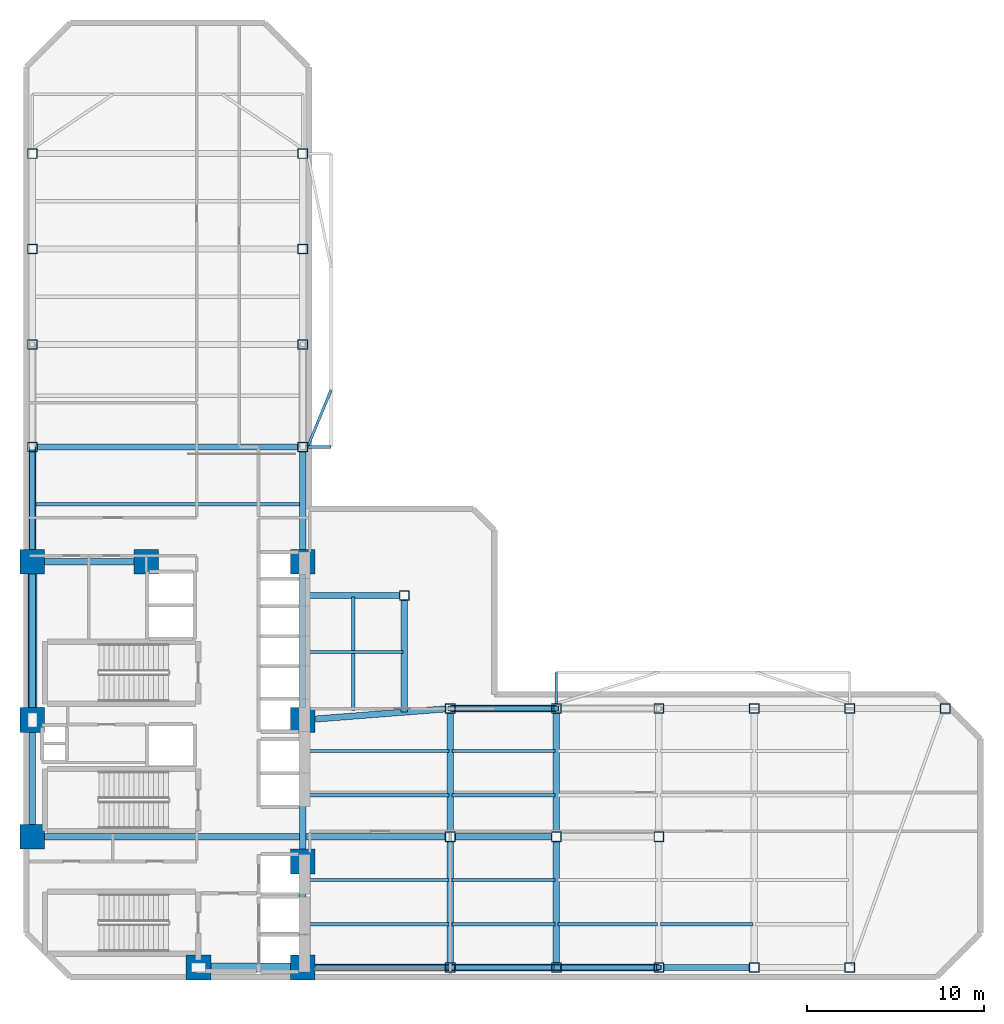
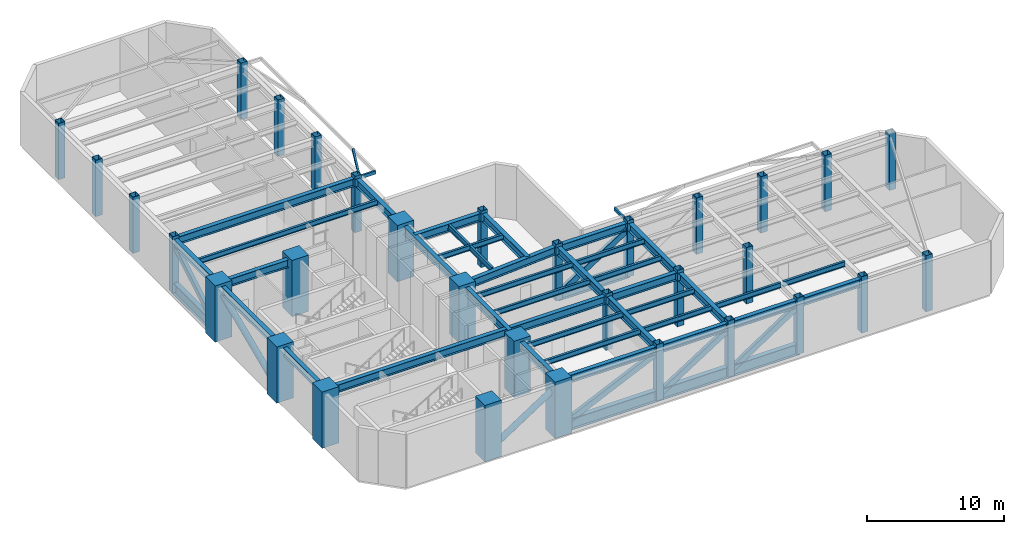
# One storey, part 1 of 7: 39 beams, 32 columns, 12 members.
"""IFC4 building model written with IfcOpenShell, lengths in metres."""

from ifc_helpers import new_model, si_unit, direction, frame, origin, origin_2d, place, context, subcontext, project, spatial, rectangle, hollow_rectangle, hollow_circle, i_section, extrude, material, material_profile, profile_set, type_object, element, save


model = new_model("IFC4")

# Units and contexts
model_context = context("Model", 3, precision=1e-05, world=origin(), true_north=direction((0.0, 1.0)))
body_context = subcontext(model_context, "Body", "Model", "MODEL_VIEW")
ifc_project = project(units=[si_unit("LENGTHUNIT", "METRE"), si_unit("AREAUNIT", "SQUARE_METRE"), si_unit("VOLUMEUNIT", "CUBIC_METRE"), si_unit("PLANEANGLEUNIT", "RADIAN"), si_unit("MASSUNIT", "GRAM", prefix="KILO")], contexts=[model_context])

# Site, building, storey
site_placement = place(None, origin())
site = spatial("IfcSite", under=ifc_project, at=site_placement, CompositionType="ELEMENT")
building_placement = place(site_placement, origin())
building = spatial("IfcBuilding", under=site, at=building_placement, Name="Mawjaban Terraces University", CompositionType="ELEMENT")
storey_placement = place(building_placement, frame((0.0, 0.0, 93.39990234375)))
storey = spatial("IfcBuildingStorey", under=building, at=storey_placement, Name="L22", CompositionType="ELEMENT", Elevation=93.39990234375)

# Columns
ifc_material_1 = material(Name="Concrete C70/85", Category="concrete")
ifc_material_profile_1 = material_profile(ifc_material_1, rectangle(XDim=1.39990234375, YDim=1.39990234375, at=origin_2d()), Name="RC1400X1400")
ifc_profile_set_1 = profile_set([ifc_material_profile_1], Name="Concrete C70/85")
column_type_1 = type_object("IfcColumnType", Name="Col_RC1400X1400", PredefinedType="COLUMN", material=ifc_profile_set_1)
for number, where, z_axis, x_axis, name in (
    (1, (31.75, 0.550048828125, 0.0), (0.0, 0.0, 1.0), (1.0, 0.0, 0.0), "L22 Column CC2"),
    (2, (37.64990234375, 0.550048828125, 0.0), (0.0, 0.0, 1.0), (1.0, 0.0, 0.0), "L22 Column CC3"),
    (3, (22.35009765625, 7.949951171875, 0.0), (0.0, 0.0, 1.0), (1.0, 0.0, 0.0), "L22 Column CC4"),
    (4, (37.64990234375, 6.550048828125, 0.0), (0.0, 0.0, 1.0), (1.0, 0.0, 0.0), "L22 Column CC5"),
    (5, (22.35009765625, 14.550048828125, 0.0), (0.0, 0.0, 1.0), (1.0, 0.0, 0.0), "L22 Column CC6"),
    (6, (37.64990234375, 14.550048828125, 0.0), (0.0, 0.0, 1.0), (1.0, 0.0, 0.0), "L22 Column CC7"),
    (7, (22.35009765625, 23.5, 0.0), (0.0, 0.0, 1.0), (1.0, 0.0, 0.0), "L22 Column CC8"),
    (8, (28.800048828125, 23.5, 0.0), (0.0, 0.0, 1.0), (1.0, 0.0, 0.0), "L22 Column CC9"),
    (9, (37.64990234375, 23.5, 0.0), (0.0, 0.0, 1.0), (1.0, 0.0, 0.0), "L22 Column CC10"),
):
    element("IfcColumn", number, at=place(storey_placement, frame(where, z_axis=z_axis, x_axis=x_axis)), inside=storey, type_object=column_type_1, Name=name, PredefinedType="COLUMN", context=body_context, shape_type="SweptSolid", body=[
        extrude(rectangle(XDim=1.39990234375, YDim=1.39990234375, at=origin_2d()), origin(), (0.0, 0.0, 1.0), 5.0),
    ])
ifc_material_2 = material(Name="Steel EN 10210-1 S355J2H", Category="steel")
ifc_material_profile_2 = material_profile(ifc_material_2, hollow_rectangle(XDim=0.550048828125, YDim=0.550048828125, WallThickness=0.02490234375, at=origin_2d()), Name="SHS550X550X25")
ifc_profile_set_2 = profile_set([ifc_material_profile_2], Name="Steel EN 10210-1 S355J2H")
column_type_2 = type_object("IfcColumnType", Name="Col_SHS550X550X25", PredefinedType="COLUMN", material=ifc_profile_set_2)
for number, where, z_axis, x_axis, name in (
    (10, (46.0, 0.550048828125, 0.0), (0.0, 0.0, 1.0), (1.0, 0.0, 0.0), "L22 Column TE-460-005"),
    (11, (46.0, 7.949951171875, 0.0), (0.0, 0.0, 1.0), (1.0, 0.0, 0.0), "L22 Column TE-460-080"),
    (12, (46.0, 15.199951171875, 0.0), (0.0, 0.0, 1.0), (1.0, 0.0, 0.0), "L22 Column TE-460-152"),
    (13, (52.0, 0.550048828125, 0.0), (0.0, 0.0, 1.0), (1.0, 0.0, 0.0), "L22 Column TE-520-005"),
    (14, (52.0, 7.949951171875, 0.0), (0.0, 0.0, 1.0), (1.0, 0.0, 0.0), "L22 Column TE-520-080"),
    (15, (52.0, 15.199951171875, 0.0), (0.0, 0.0, 1.0), (1.0, 0.0, 0.0), "L22 Column TE-520-152"),
    (16, (57.800048828125, 0.550048828125, 0.0), (0.0, 0.0, 1.0), (1.0, 0.0, 0.0), "L22 Column TE-578-005"),
    (17, (57.800048828125, 7.949951171875, 0.0), (0.0, 0.0, 1.0), (1.0, 0.0, 0.0), "L22 Column TE-578-080"),
    (18, (57.800048828125, 15.199951171875, 0.0), (0.0, 0.0, 1.0), (1.0, 0.0, 0.0), "L22 Column TE-578-152"),
    (19, (63.199951171875, 0.550048828125, 0.0), (0.0, 0.0, 1.0), (1.0, 0.0, 0.0), "L22 Column TE-632-005"),
    (20, (63.199951171875, 15.199951171875, 0.0), (0.0, 0.0, 1.0), (1.0, 0.0, 0.0), "L22 Column TE-632-152"),
    (21, (68.60009765625, 0.550048828125, 0.0), (0.0, 0.0, 1.0), (1.0, 0.0, 0.0), "L22 Column TE-686-005"),
    (22, (68.60009765625, 15.199951171875, 0.0), (0.0, 0.0, 1.0), (1.0, 0.0, 0.0), "L22 Column TE-686-152"),
    (23, (74.0, 15.199951171875, 0.0), (0.0, 0.0, 1.0), (1.0, 0.0, 0.0), "L22 Column TE-740-152"),
    (24, (22.35009765625, 30.0, 0.0), (0.0, 0.0, 1.0), (1.0, 0.0, 0.0), "L22 Column TN-223-300"),
    (25, (37.64990234375, 30.0, 0.0), (0.0, 0.0, 1.0), (1.0, 0.0, 0.0), "L22 Column TN-376-300"),
    (26, (22.35009765625, 35.800048828125, 0.0), (0.0, 0.0, 1.0), (1.0, 0.0, 0.0), "L22 Column TN-223-358"),
    (27, (37.64990234375, 35.800048828125, 0.0), (0.0, 0.0, 1.0), (1.0, 0.0, 0.0), "L22 Column TN-376-358"),
    (28, (22.35009765625, 41.199951171875, 0.0), (0.0, 0.0, 1.0), (1.0, 0.0, 0.0), "L22 Column TN-223-412"),
    (29, (37.64990234375, 41.199951171875, 0.0), (0.0, 0.0, 1.0), (1.0, 0.0, 0.0), "L22 Column TN-376-412"),
    (30, (22.35009765625, 46.60009765625, 0.0), (0.0, 0.0, 1.0), (1.0, 0.0, 0.0), "L22 Column TN-223-466"),
    (31, (37.64990234375, 46.60009765625, 0.0), (0.0, 0.0, 1.0), (1.0, 0.0, 0.0), "L22 Column TN-376-466"),
    (32, (43.39990234375, 21.60009765625, 0.0), (0.0, 0.0, 1.0), (1.0, 0.0, 0.0), "L22 Column TS-434-216"),
):
    element("IfcColumn", number, at=place(storey_placement, frame(where, z_axis=z_axis, x_axis=x_axis)), inside=storey, type_object=column_type_2, Name=name, PredefinedType="COLUMN", context=body_context, shape_type="SweptSolid", body=[
        extrude(hollow_rectangle(XDim=0.550048828125, YDim=0.550048828125, WallThickness=0.02490234375, at=origin_2d()), origin(), (0.0, 0.0, 1.0), 5.0),
    ])

# Beams
ifc_material_profile_3 = material_profile(ifc_material_2, hollow_rectangle(XDim=0.14990234375, YDim=0.300048828125, WallThickness=0.012451171875, at=origin_2d()), Name="RHS300X150X12.5")
ifc_profile_set_3 = profile_set([ifc_material_profile_3], Name="Steel EN 10210-1 S355J2H")
beam_type_1 = type_object("IfcBeamType", Name="BalconyCantileverSpandrel_RHS", PredefinedType="SPANDREL", material=ifc_profile_set_3)
beam_1_placement = place(storey_placement, frame((52.0, 15.47509765625, 4.590087890625), z_axis=(0.0, 1.0, 0.0), x_axis=(-1.0, 0.0, 0.0)))
element("IfcBeam", 33, at=beam_1_placement, inside=storey, type_object=beam_type_1, Name="L22 Exterior Outrigger BAL-L23-N.1", PredefinedType="SPANDREL", context=body_context, shape_type="SweptSolid", body=[
    extrude(hollow_rectangle(XDim=0.14990234375, YDim=0.300048828125, WallThickness=0.012451171875, at=origin_2d()), origin(), (0.0, 0.0, 1.0), 1.77490234375),
])
beam_2_placement = place(storey_placement, frame((37.925048828125, 30.0, 4.590087890625), z_axis=(1.0, 0.0, 0.0), x_axis=(0.0, 1.0, 0.0)))
element("IfcBeam", 34, at=beam_2_placement, inside=storey, type_object=beam_type_1, Name="L22 Exterior Outrigger BAL-L23-E.1", PredefinedType="SPANDREL", context=body_context, shape_type="SweptSolid", body=[
    extrude(hollow_rectangle(XDim=0.14990234375, YDim=0.300048828125, WallThickness=0.012451171875, at=origin_2d()), origin(), (0.0, 0.0, 1.0), 1.324951171875),
])
beam_3_placement = place(storey_placement, frame((37.925048828125, 30.0, 4.590087890625), z_axis=(0.380524092367, 0.92477100686, 0.0), x_axis=(-0.92477100686, 0.380524092367, 0.0)))
element("IfcBeam", 35, at=beam_3_placement, inside=storey, type_object=beam_type_1, Name="L22 Exterior Diagonal Strut BAL-L23-E.1", PredefinedType="SPANDREL", context=body_context, shape_type="SweptSolid", body=[
    extrude(hollow_rectangle(XDim=0.14990234375, YDim=0.300048828125, WallThickness=0.012451171875, at=origin_2d()), origin(), (0.0, 0.0, 1.0), 3.48193359375),
])
ifc_material_3 = material(Name="Steel ASTM A572 Grade 50", Category="steel")
ifc_material_profile_4 = material_profile(ifc_material_3, i_section(OverallWidth=0.35498046875, OverallDepth=0.695068359375, WebThickness=0.015380859375, FlangeThickness=0.02490234375, at=origin_2d()), Name="W690X217")
ifc_profile_set_4 = profile_set([ifc_material_profile_4], Name="Steel ASTM A572 Grade 50")
beam_type_2 = type_object("IfcBeamType", Name="Beam_B_W690X217", PredefinedType="BEAM", material=ifc_profile_set_4)
beam_4_placement = place(storey_placement, frame((38.35009765625, 0.550048828125, 4.39306640625), z_axis=(1.0, 0.0, 0.0), x_axis=(0.0, 1.0, 0.0)))
element("IfcBeam", 36, at=beam_4_placement, inside=storey, type_object=beam_type_2, Name="L22 Beam BM-L22-EW-01", PredefinedType="BEAM", context=body_context, shape_type="SweptSolid", body=[
    extrude(i_section(OverallWidth=0.35498046875, OverallDepth=0.695068359375, WebThickness=0.015380859375, FlangeThickness=0.02490234375, at=origin_2d()), origin(), (0.0, 0.0, 1.0), 7.375),
])
beam_5_placement = place(storey_placement, frame((46.27490234375, 0.550048828125, 4.39306640625), z_axis=(1.0, 0.0, 0.0), x_axis=(0.0, 1.0, 0.0)))
element("IfcBeam", 37, at=beam_5_placement, inside=storey, type_object=beam_type_2, Name="L22 Beam BM-L22-EW-02", PredefinedType="BEAM", context=body_context, shape_type="SweptSolid", body=[
    extrude(i_section(OverallWidth=0.35498046875, OverallDepth=0.695068359375, WebThickness=0.015380859375, FlangeThickness=0.02490234375, at=origin_2d()), origin(), (0.0, 0.0, 1.0), 5.4501953125),
])
beam_6_placement = place(storey_placement, frame((52.27490234375, 0.550048828125, 4.39306640625), z_axis=(1.0, 0.0, 0.0), x_axis=(0.0, 1.0, 0.0)))
element("IfcBeam", 38, at=beam_6_placement, inside=storey, type_object=beam_type_2, Name="L22 Beam BM-L22-EW-03", PredefinedType="BEAM", context=body_context, shape_type="SweptSolid", body=[
    extrude(i_section(OverallWidth=0.35498046875, OverallDepth=0.695068359375, WebThickness=0.015380859375, FlangeThickness=0.02490234375, at=origin_2d()), origin(), (0.0, 0.0, 1.0), 5.25),
])
beam_7_placement = place(storey_placement, frame((58.074951171875, 0.550048828125, 4.39306640625), z_axis=(1.0, 0.0, 0.0), x_axis=(0.0, 1.0, 0.0)))
element("IfcBeam", 39, at=beam_7_placement, inside=storey, type_object=beam_type_2, Name="L22 Beam BM-L22-EW-04", PredefinedType="BEAM", context=body_context, shape_type="SweptSolid", body=[
    extrude(i_section(OverallWidth=0.35498046875, OverallDepth=0.695068359375, WebThickness=0.015380859375, FlangeThickness=0.02490234375, at=origin_2d()), origin(), (0.0, 0.0, 1.0), 4.85009765625),
])
beam_8_placement = place(storey_placement, frame((23.050048828125, 7.949951171875, 4.39306640625), z_axis=(1.0, 0.0, 0.0), x_axis=(0.0, 1.0, 0.0)))
element("IfcBeam", 40, at=beam_8_placement, inside=storey, type_object=beam_type_2, Name="L22 Beam BM-L22-EW-06", PredefinedType="BEAM", context=body_context, shape_type="SweptSolid", body=[
    extrude(i_section(OverallWidth=0.35498046875, OverallDepth=0.695068359375, WebThickness=0.015380859375, FlangeThickness=0.02490234375, at=origin_2d()), origin(), (0.0, 0.0, 1.0), 22.675048828125),
])
for number, where, z_axis, x_axis, name in (
    (41, (46.27490234375, 7.949951171875, 4.39306640625), (1.0, 0.0, 0.0), (0.0, 1.0, 0.0), "L22 Beam BM-L22-EW-07"),
    (42, (46.27490234375, 15.199951171875, 4.39306640625), (1.0, 0.0, 0.0), (0.0, 1.0, 0.0), "L22 Beam BM-L22-EW-09"),
):
    element("IfcBeam", number, at=place(storey_placement, frame(where, z_axis=z_axis, x_axis=x_axis)), inside=storey, type_object=beam_type_2, Name=name, PredefinedType="BEAM", context=body_context, shape_type="SweptSolid", body=[
        extrude(i_section(OverallWidth=0.35498046875, OverallDepth=0.695068359375, WebThickness=0.015380859375, FlangeThickness=0.02490234375, at=origin_2d()), origin(), (0.0, 0.0, 1.0), 5.4501953125),
    ])
beam_9_placement = place(storey_placement, frame((23.050048828125, 23.5, 4.39306640625), z_axis=(1.0, 0.0, 0.0), x_axis=(0.0, 1.0, 0.0)))
element("IfcBeam", 43, at=beam_9_placement, inside=storey, type_object=beam_type_2, Name="L22 Beam BM-L22-EW-14", PredefinedType="BEAM", context=body_context, shape_type="SweptSolid", body=[
    extrude(i_section(OverallWidth=0.35498046875, OverallDepth=0.695068359375, WebThickness=0.015380859375, FlangeThickness=0.02490234375, at=origin_2d()), origin(), (0.0, 0.0, 1.0), 5.050048828125),
])
beam_10_placement = place(storey_placement, frame((22.625, 30.0, 4.39306640625), z_axis=(1.0, 0.0, 0.0), x_axis=(0.0, 1.0, 0.0)))
element("IfcBeam", 44, at=beam_10_placement, inside=storey, type_object=beam_type_2, Name="L22 Beam BM-L22-EW-15", PredefinedType="BEAM", context=body_context, shape_type="SweptSolid", body=[
    extrude(i_section(OverallWidth=0.35498046875, OverallDepth=0.695068359375, WebThickness=0.015380859375, FlangeThickness=0.02490234375, at=origin_2d()), origin(), (0.0, 0.0, 1.0), 14.75),
])
beam_11_placement = place(storey_placement, frame((22.35009765625, 8.64990234375, 4.39306640625), z_axis=(0.0, 1.0, 0.0), x_axis=(-1.0, 0.0, 0.0)))
element("IfcBeam", 45, at=beam_11_placement, inside=storey, type_object=beam_type_2, Name="L22 Beam BM-L22-NS-01", PredefinedType="BEAM", context=body_context, shape_type="SweptSolid", body=[
    extrude(i_section(OverallWidth=0.35498046875, OverallDepth=0.695068359375, WebThickness=0.015380859375, FlangeThickness=0.02490234375, at=origin_2d()), origin(), (0.0, 0.0, 1.0), 5.2001953125),
])
beam_12_placement = place(storey_placement, frame((22.35009765625, 15.25, 4.39306640625), z_axis=(0.0, 1.0, 0.0), x_axis=(-1.0, 0.0, 0.0)))
element("IfcBeam", 46, at=beam_12_placement, inside=storey, type_object=beam_type_2, Name="L22 Beam BM-L22-NS-02", PredefinedType="BEAM", context=body_context, shape_type="SweptSolid", body=[
    extrude(i_section(OverallWidth=0.35498046875, OverallDepth=0.695068359375, WebThickness=0.015380859375, FlangeThickness=0.02490234375, at=origin_2d()), origin(), (0.0, 0.0, 1.0), 7.550048828125),
])
beam_13_placement = place(storey_placement, frame((22.35009765625, 24.199951171875, 4.39306640625), z_axis=(0.0, 1.0, 0.0), x_axis=(-1.0, 0.0, 0.0)))
element("IfcBeam", 47, at=beam_13_placement, inside=storey, type_object=beam_type_2, Name="L22 Beam BM-L22-NS-03", PredefinedType="BEAM", context=body_context, shape_type="SweptSolid", body=[
    extrude(i_section(OverallWidth=0.35498046875, OverallDepth=0.695068359375, WebThickness=0.015380859375, FlangeThickness=0.02490234375, at=origin_2d()), origin(), (0.0, 0.0, 1.0), 5.525146484375),
])
beam_14_placement = place(storey_placement, frame((37.64990234375, 1.25, 4.39306640625), z_axis=(0.0, 1.0, 0.0), x_axis=(-1.0, 0.0, 0.0)))
element("IfcBeam", 48, at=beam_14_placement, inside=storey, type_object=beam_type_2, Name="L22 Beam BM-L22-NS-07", PredefinedType="BEAM", context=body_context, shape_type="SweptSolid", body=[
    extrude(i_section(OverallWidth=0.35498046875, OverallDepth=0.695068359375, WebThickness=0.015380859375, FlangeThickness=0.02490234375, at=origin_2d()), origin(), (0.0, 0.0, 1.0), 4.60009765625),
])
beam_15_placement = place(storey_placement, frame((37.64990234375, 7.25, 4.39306640625), z_axis=(0.0, 1.0, 0.0), x_axis=(-1.0, 0.0, 0.0)))
element("IfcBeam", 49, at=beam_15_placement, inside=storey, type_object=beam_type_2, Name="L22 Beam BM-L22-NS-08", PredefinedType="BEAM", context=body_context, shape_type="SweptSolid", body=[
    extrude(i_section(OverallWidth=0.35498046875, OverallDepth=0.695068359375, WebThickness=0.015380859375, FlangeThickness=0.02490234375, at=origin_2d()), origin(), (0.0, 0.0, 1.0), 6.60009765625),
])
beam_16_placement = place(storey_placement, frame((37.64990234375, 15.25, 4.39306640625), z_axis=(0.0, 1.0, 0.0), x_axis=(-1.0, 0.0, 0.0)))
element("IfcBeam", 50, at=beam_16_placement, inside=storey, type_object=beam_type_2, Name="L22 Beam BM-L22-NS-09", PredefinedType="BEAM", context=body_context, shape_type="SweptSolid", body=[
    extrude(i_section(OverallWidth=0.35498046875, OverallDepth=0.695068359375, WebThickness=0.015380859375, FlangeThickness=0.02490234375, at=origin_2d()), origin(), (0.0, 0.0, 1.0), 7.550048828125),
])
beam_17_placement = place(storey_placement, frame((37.64990234375, 24.199951171875, 4.39306640625), z_axis=(0.0, 1.0, 0.0), x_axis=(-1.0, 0.0, 0.0)))
element("IfcBeam", 51, at=beam_17_placement, inside=storey, type_object=beam_type_2, Name="L22 Beam BM-L22-NS-10", PredefinedType="BEAM", context=body_context, shape_type="SweptSolid", body=[
    extrude(i_section(OverallWidth=0.35498046875, OverallDepth=0.695068359375, WebThickness=0.015380859375, FlangeThickness=0.02490234375, at=origin_2d()), origin(), (0.0, 0.0, 1.0), 5.525146484375),
])
beam_18_placement = place(storey_placement, frame((46.0, 0.824951171875, 4.39306640625), z_axis=(0.0, 1.0, 0.0), x_axis=(-1.0, 0.0, 0.0)))
element("IfcBeam", 52, at=beam_18_placement, inside=storey, type_object=beam_type_2, Name="L22 Beam BM-L22-NS-14", PredefinedType="BEAM", context=body_context, shape_type="SweptSolid", body=[
    extrude(i_section(OverallWidth=0.35498046875, OverallDepth=0.695068359375, WebThickness=0.015380859375, FlangeThickness=0.02490234375, at=origin_2d()), origin(), (0.0, 0.0, 1.0), 6.85009765625),
])
beam_19_placement = place(storey_placement, frame((46.0, 8.22509765625, 4.39306640625), z_axis=(0.0, 1.0, 0.0), x_axis=(-1.0, 0.0, 0.0)))
element("IfcBeam", 53, at=beam_19_placement, inside=storey, type_object=beam_type_2, Name="L22 Beam BM-L22-NS-15", PredefinedType="BEAM", context=body_context, shape_type="SweptSolid", body=[
    extrude(i_section(OverallWidth=0.35498046875, OverallDepth=0.695068359375, WebThickness=0.015380859375, FlangeThickness=0.02490234375, at=origin_2d()), origin(), (0.0, 0.0, 1.0), 6.699951171875),
])
beam_20_placement = place(storey_placement, frame((52.0, 0.824951171875, 4.39306640625), z_axis=(0.0, 1.0, 0.0), x_axis=(-1.0, 0.0, 0.0)))
element("IfcBeam", 54, at=beam_20_placement, inside=storey, type_object=beam_type_2, Name="L22 Beam BM-L22-NS-16", PredefinedType="BEAM", context=body_context, shape_type="SweptSolid", body=[
    extrude(i_section(OverallWidth=0.35498046875, OverallDepth=0.695068359375, WebThickness=0.015380859375, FlangeThickness=0.02490234375, at=origin_2d()), origin(), (0.0, 0.0, 1.0), 6.85009765625),
])
beam_21_placement = place(storey_placement, frame((52.0, 8.22509765625, 4.39306640625), z_axis=(0.0, 1.0, 0.0), x_axis=(-1.0, 0.0, 0.0)))
element("IfcBeam", 55, at=beam_21_placement, inside=storey, type_object=beam_type_2, Name="L22 Beam BM-L22-NS-17", PredefinedType="BEAM", context=body_context, shape_type="SweptSolid", body=[
    extrude(i_section(OverallWidth=0.35498046875, OverallDepth=0.695068359375, WebThickness=0.015380859375, FlangeThickness=0.02490234375, at=origin_2d()), origin(), (0.0, 0.0, 1.0), 6.699951171875),
])
beam_22_placement = place(storey_placement, frame((38.347900390625, 14.60400390625, 4.39306640625), z_axis=(0.996977531908, 0.077690416851, 0.0), x_axis=(-0.077690416851, 0.996977531908, 0.0)))
element("IfcBeam", 56, at=beam_22_placement, inside=storey, type_object=beam_type_2, Name="L22 Beam BM-L22-CTIE", PredefinedType="BEAM", context=body_context, shape_type="SweptSolid", body=[
    extrude(i_section(OverallWidth=0.35498046875, OverallDepth=0.695068359375, WebThickness=0.015380859375, FlangeThickness=0.02490234375, at=origin_2d()), origin(), (0.0, 0.0, 1.0), 7.400634765625),
])
beam_23_placement = place(storey_placement, frame((37.679931640625, 21.60009765625, 4.39306640625), z_axis=(1.0, 0.0, 0.0), x_axis=(0.0, 1.0, 0.0)))
element("IfcBeam", 57, at=beam_23_placement, inside=storey, type_object=beam_type_2, Name="L22 Spur Tie Girder West", PredefinedType="BEAM", context=body_context, shape_type="SweptSolid", body=[
    extrude(i_section(OverallWidth=0.35498046875, OverallDepth=0.695068359375, WebThickness=0.015380859375, FlangeThickness=0.02490234375, at=origin_2d()), origin(), (0.0, 0.0, 1.0), 5.445068359375),
])
beam_24_placement = place(storey_placement, frame((43.39990234375, 15.0, 4.39306640625), z_axis=(0.0, 1.0, 0.0), x_axis=(-1.0, 0.0, 0.0)))
element("IfcBeam", 58, at=beam_24_placement, inside=storey, type_object=beam_type_2, Name="L22 Spur Tie Girder South", PredefinedType="BEAM", context=body_context, shape_type="SweptSolid", body=[
    extrude(i_section(OverallWidth=0.35498046875, OverallDepth=0.695068359375, WebThickness=0.015380859375, FlangeThickness=0.02490234375, at=origin_2d()), origin(), (0.0, 0.0, 1.0), 6.324951171875),
])
ifc_material_profile_5 = material_profile(ifc_material_3, i_section(OverallWidth=0.19189453125, OverallDepth=0.462890625, WebThickness=0.010498046875, FlangeThickness=0.017578125, at=origin_2d()), Name="W460X89")
ifc_profile_set_5 = profile_set([ifc_material_profile_5], Name="Steel ASTM A572 Grade 50")
beam_type_3 = type_object("IfcBeamType", Name="Beam_J_W460X89", PredefinedType="JOIST", material=ifc_profile_set_5)
beam_25_placement = place(storey_placement, frame((37.72998046875, 3.0, 4.509033203125), z_axis=(1.0, 0.0, 0.0), x_axis=(0.0, 1.0, 0.0)))
element("IfcBeam", 59, at=beam_25_placement, inside=storey, type_object=beam_type_3, Name="L22 Composite Joist JST-L22-01", PredefinedType="JOIST", context=body_context, shape_type="SweptSolid", body=[
    extrude(i_section(OverallWidth=0.19189453125, OverallDepth=0.462890625, WebThickness=0.010498046875, FlangeThickness=0.017578125, at=origin_2d()), origin(), (0.0, 0.0, 1.0), 8.18994140625),
])
beam_26_placement = place(storey_placement, frame((46.080078125, 3.0, 4.509033203125), z_axis=(1.0, 0.0, 0.0), x_axis=(0.0, 1.0, 0.0)))
element("IfcBeam", 60, at=beam_26_placement, inside=storey, type_object=beam_type_3, Name="L22 Composite Joist JST-L22-02", PredefinedType="JOIST", context=body_context, shape_type="SweptSolid", body=[
    extrude(i_section(OverallWidth=0.19189453125, OverallDepth=0.462890625, WebThickness=0.010498046875, FlangeThickness=0.017578125, at=origin_2d()), origin(), (0.0, 0.0, 1.0), 5.83984375),
])
beam_27_placement = place(storey_placement, frame((52.080078125, 3.0, 4.509033203125), z_axis=(1.0, 0.0, 0.0), x_axis=(0.0, 1.0, 0.0)))
element("IfcBeam", 61, at=beam_27_placement, inside=storey, type_object=beam_type_3, Name="L22 Composite Joist JST-L22-03", PredefinedType="JOIST", context=body_context, shape_type="SweptSolid", body=[
    extrude(i_section(OverallWidth=0.19189453125, OverallDepth=0.462890625, WebThickness=0.010498046875, FlangeThickness=0.017578125, at=origin_2d()), origin(), (0.0, 0.0, 1.0), 5.639892578125),
])
beam_28_placement = place(storey_placement, frame((57.8798828125, 3.0, 4.509033203125), z_axis=(1.0, 0.0, 0.0), x_axis=(0.0, 1.0, 0.0)))
element("IfcBeam", 62, at=beam_28_placement, inside=storey, type_object=beam_type_3, Name="L22 Composite Joist JST-L22-04", PredefinedType="JOIST", context=body_context, shape_type="SweptSolid", body=[
    extrude(i_section(OverallWidth=0.19189453125, OverallDepth=0.462890625, WebThickness=0.010498046875, FlangeThickness=0.017578125, at=origin_2d()), origin(), (0.0, 0.0, 1.0), 5.240234375),
])
beam_29_placement = place(storey_placement, frame((37.72998046875, 5.5, 4.509033203125), z_axis=(1.0, 0.0, 0.0), x_axis=(0.0, 1.0, 0.0)))
element("IfcBeam", 63, at=beam_29_placement, inside=storey, type_object=beam_type_3, Name="L22 Composite Joist JST-L22-06", PredefinedType="JOIST", context=body_context, shape_type="SweptSolid", body=[
    extrude(i_section(OverallWidth=0.19189453125, OverallDepth=0.462890625, WebThickness=0.010498046875, FlangeThickness=0.017578125, at=origin_2d()), origin(), (0.0, 0.0, 1.0), 8.18994140625),
])
beam_30_placement = place(storey_placement, frame((46.080078125, 5.5, 4.509033203125), z_axis=(1.0, 0.0, 0.0), x_axis=(0.0, 1.0, 0.0)))
element("IfcBeam", 64, at=beam_30_placement, inside=storey, type_object=beam_type_3, Name="L22 Composite Joist JST-L22-07", PredefinedType="JOIST", context=body_context, shape_type="SweptSolid", body=[
    extrude(i_section(OverallWidth=0.19189453125, OverallDepth=0.462890625, WebThickness=0.010498046875, FlangeThickness=0.017578125, at=origin_2d()), origin(), (0.0, 0.0, 1.0), 5.83984375),
])
beam_31_placement = place(storey_placement, frame((37.72998046875, 10.300048828125, 4.509033203125), z_axis=(1.0, 0.0, 0.0), x_axis=(0.0, 1.0, 0.0)))
element("IfcBeam", 65, at=beam_31_placement, inside=storey, type_object=beam_type_3, Name="L22 Composite Joist JST-L22-11", PredefinedType="JOIST", context=body_context, shape_type="SweptSolid", body=[
    extrude(i_section(OverallWidth=0.19189453125, OverallDepth=0.462890625, WebThickness=0.010498046875, FlangeThickness=0.017578125, at=origin_2d()), origin(), (0.0, 0.0, 1.0), 8.18994140625),
])
beam_32_placement = place(storey_placement, frame((46.080078125, 10.300048828125, 4.509033203125), z_axis=(1.0, 0.0, 0.0), x_axis=(0.0, 1.0, 0.0)))
element("IfcBeam", 66, at=beam_32_placement, inside=storey, type_object=beam_type_3, Name="L22 Composite Joist JST-L22-12", PredefinedType="JOIST", context=body_context, shape_type="SweptSolid", body=[
    extrude(i_section(OverallWidth=0.19189453125, OverallDepth=0.462890625, WebThickness=0.010498046875, FlangeThickness=0.017578125, at=origin_2d()), origin(), (0.0, 0.0, 1.0), 5.83984375),
])
beam_33_placement = place(storey_placement, frame((37.72998046875, 12.800048828125, 4.509033203125), z_axis=(1.0, 0.0, 0.0), x_axis=(0.0, 1.0, 0.0)))
element("IfcBeam", 67, at=beam_33_placement, inside=storey, type_object=beam_type_3, Name="L22 Composite Joist JST-L22-16", PredefinedType="JOIST", context=body_context, shape_type="SweptSolid", body=[
    extrude(i_section(OverallWidth=0.19189453125, OverallDepth=0.462890625, WebThickness=0.010498046875, FlangeThickness=0.017578125, at=origin_2d()), origin(), (0.0, 0.0, 1.0), 8.18994140625),
])
beam_34_placement = place(storey_placement, frame((46.080078125, 12.800048828125, 4.509033203125), z_axis=(1.0, 0.0, 0.0), x_axis=(0.0, 1.0, 0.0)))
element("IfcBeam", 68, at=beam_34_placement, inside=storey, type_object=beam_type_3, Name="L22 Composite Joist JST-L22-17", PredefinedType="JOIST", context=body_context, shape_type="SweptSolid", body=[
    extrude(i_section(OverallWidth=0.19189453125, OverallDepth=0.462890625, WebThickness=0.010498046875, FlangeThickness=0.017578125, at=origin_2d()), origin(), (0.0, 0.0, 1.0), 5.83984375),
])
beam_35_placement = place(storey_placement, frame((37.72998046875, 18.39990234375, 4.509033203125), z_axis=(1.0, 0.0, 0.0), x_axis=(0.0, 1.0, 0.0)))
element("IfcBeam", 69, at=beam_35_placement, inside=storey, type_object=beam_type_3, Name="L22 Composite Joist JST-L22-21", PredefinedType="JOIST", context=body_context, shape_type="SweptSolid", body=[
    extrude(i_section(OverallWidth=0.19189453125, OverallDepth=0.462890625, WebThickness=0.010498046875, FlangeThickness=0.017578125, at=origin_2d()), origin(), (0.0, 0.0, 1.0), 5.590087890625),
])
beam_36_placement = place(storey_placement, frame((22.429931640625, 26.75, 4.509033203125), z_axis=(1.0, 0.0, 0.0), x_axis=(0.0, 1.0, 0.0)))
element("IfcBeam", 70, at=beam_36_placement, inside=storey, type_object=beam_type_3, Name="L22 Composite Joist JST-L22-22", PredefinedType="JOIST", context=body_context, shape_type="SweptSolid", body=[
    extrude(i_section(OverallWidth=0.19189453125, OverallDepth=0.462890625, WebThickness=0.010498046875, FlangeThickness=0.017578125, at=origin_2d()), origin(), (0.0, 0.0, 1.0), 15.14013671875),
])
beam_37_placement = place(storey_placement, frame((40.5, 15.080078125, 4.509033203125), z_axis=(0.0, 1.0, 0.0), x_axis=(-1.0, 0.0, 0.0)))
element("IfcBeam", 71, at=beam_37_placement, inside=storey, type_object=beam_type_3, Name="L22 Composite Joist JST-L22-NS-26", PredefinedType="JOIST", context=body_context, shape_type="SweptSolid", body=[
    extrude(i_section(OverallWidth=0.19189453125, OverallDepth=0.462890625, WebThickness=0.010498046875, FlangeThickness=0.017578125, at=origin_2d()), origin(), (0.0, 0.0, 1.0), 6.43994140625),
])

# Members
ifc_material_profile_6 = material_profile(ifc_material_2, hollow_circle(Radius=0.25390625, WallThickness=0.02001953125, at=origin_2d()), Name="CHS508X20")
ifc_profile_set_6 = profile_set([ifc_material_profile_6], Name="Steel EN 10210-1 S355J2H")
member_type_1 = type_object("IfcMemberType", Name="Mem_BRACE_CHS508X20", PredefinedType="BRACE", material=ifc_profile_set_6)
member_1_placement = place(storey_placement, frame((31.75, 0.550048828125, 0.35009765625), z_axis=(0.838109079242, 0.0, 0.545502677621), x_axis=(0.0, 1.0, 0.0)))
element("IfcMember", 72, at=member_1_placement, inside=storey, type_object=member_type_1, Name="L22 Outrigger Truss Diagonal OUT-E1", PredefinedType="BRACE", context=body_context, shape_type="SweptSolid", body=[
    extrude(hollow_circle(Radius=0.25390625, WallThickness=0.02001953125, at=origin_2d()), origin(), (0.0, 0.0, 1.0), 7.03955078125),
])
member_2_placement = place(storey_placement, frame((22.35009765625, 14.550048828125, 0.35009765625), z_axis=(0.0, 0.918981574311, 0.394300476891), x_axis=(-1.0, 0.0, 0.0)))
element("IfcMember", 73, at=member_2_placement, inside=storey, type_object=member_type_1, Name="L22 Outrigger Truss Diagonal OUT-N1", PredefinedType="BRACE", context=body_context, shape_type="SweptSolid", body=[
    extrude(hollow_circle(Radius=0.25390625, WallThickness=0.02001953125, at=origin_2d()), origin(), (0.0, 0.0, 1.0), 9.739013671875),
])
ifc_material_4 = material(Name="Steel ASTM A913 Grade 65", Category="steel")
ifc_material_profile_7 = material_profile(ifc_material_4, hollow_rectangle(XDim=0.300048828125, YDim=0.5, WallThickness=0.02001953125, at=origin_2d()), Name="RHS500X300X20")
ifc_profile_set_7 = profile_set([ifc_material_profile_7], Name="Steel ASTM A913 Grade 65")
member_type_2 = type_object("IfcMemberType", Name="Mem_BRACE_RHS500X300X20", PredefinedType="BRACE", material=ifc_profile_set_7)
member_3_placement = place(storey_placement, frame((37.64990234375, 0.550048828125, 0.35009765625), z_axis=(0.908529982762, 0.0, 0.41781966256), x_axis=(0.0, 1.0, 0.0)))
element("IfcMember", 74, at=member_3_placement, inside=storey, type_object=member_type_2, Name="L22 Belt Truss Brace BS1", PredefinedType="BRACE", context=body_context, shape_type="SweptSolid", body=[
    extrude(hollow_rectangle(XDim=0.300048828125, YDim=0.5, WallThickness=0.02001953125, at=origin_2d()), origin(), (0.0, 0.0, 1.0), 9.190673828125),
])
member_4_placement = place(storey_placement, frame((46.0, 0.550048828125, 0.35009765625), z_axis=(0.842265798855, 0.0, 0.539062449145), x_axis=(0.0, 1.0, 0.0)))
element("IfcMember", 75, at=member_4_placement, inside=storey, type_object=member_type_2, Name="L22 Belt Truss Brace BS2", PredefinedType="BRACE", context=body_context, shape_type="SweptSolid", body=[
    extrude(hollow_rectangle(XDim=0.300048828125, YDim=0.5, WallThickness=0.02001953125, at=origin_2d()), origin(), (0.0, 0.0, 1.0), 7.12353515625),
])
member_5_placement = place(storey_placement, frame((52.0, 0.550048828125, 0.35009765625), z_axis=(0.833811754242, 0.0, 0.552048873278), x_axis=(0.0, 1.0, 0.0)))
element("IfcMember", 76, at=member_5_placement, inside=storey, type_object=member_type_2, Name="L22 Belt Truss Brace BS3", PredefinedType="BRACE", context=body_context, shape_type="SweptSolid", body=[
    extrude(hollow_rectangle(XDim=0.300048828125, YDim=0.5, WallThickness=0.02001953125, at=origin_2d()), origin(), (0.0, 0.0, 1.0), 6.9560546875),
])
member_6_placement = place(storey_placement, frame((46.0, 15.199951171875, 0.35009765625), z_axis=(0.842265798855, 0.0, 0.539062449145), x_axis=(0.0, 1.0, 0.0)))
element("IfcMember", 77, at=member_6_placement, inside=storey, type_object=member_type_2, Name="L22 Belt Truss Brace BE2", PredefinedType="BRACE", context=body_context, shape_type="SweptSolid", body=[
    extrude(hollow_rectangle(XDim=0.300048828125, YDim=0.5, WallThickness=0.02001953125, at=origin_2d()), origin(), (0.0, 0.0, 1.0), 7.12353515625),
])
member_7_placement = place(storey_placement, frame((22.35009765625, 23.5, 0.35009765625), z_axis=(0.0, 0.860974165202, 0.508648687067), x_axis=(-1.0, 0.0, 0.0)))
element("IfcMember", 78, at=member_7_placement, inside=storey, type_object=member_type_2, Name="L22 Belt Truss Brace BW1", PredefinedType="BRACE", context=body_context, shape_type="SweptSolid", body=[
    extrude(hollow_rectangle(XDim=0.300048828125, YDim=0.5, WallThickness=0.02001953125, at=origin_2d()), origin(), (0.0, 0.0, 1.0), 7.549560546875),
])
ifc_material_profile_8 = material_profile(ifc_material_4, i_section(OverallWidth=0.39990234375, OverallDepth=1.0, WebThickness=0.02099609375, FlangeThickness=0.033935546875, at=origin_2d()), Name="W1000X371")
ifc_profile_set_8 = profile_set([ifc_material_profile_8], Name="Steel ASTM A913 Grade 65")
member_type_3 = type_object("IfcMemberType", Name="Mem_CHORD_W1000X371", PredefinedType="CHORD", material=ifc_profile_set_8)
member_8_placement = place(storey_placement, frame((37.64990234375, 0.550048828125, 0.35009765625), z_axis=(1.0, 0.0, 0.0), x_axis=(0.0, 1.0, 0.0)))
element("IfcMember", 79, at=member_8_placement, inside=storey, type_object=member_type_3, Name="L22 Belt Truss Chord BS1", PredefinedType="CHORD", context=body_context, shape_type="SweptSolid", body=[
    extrude(i_section(OverallWidth=0.39990234375, OverallDepth=1.0, WebThickness=0.02099609375, FlangeThickness=0.033935546875, at=origin_2d()), origin(), (0.0, 0.0, 1.0), 8.35009765625),
])
member_9_placement = place(storey_placement, frame((46.0, 0.550048828125, 0.35009765625), z_axis=(1.0, 0.0, 0.0), x_axis=(0.0, 1.0, 0.0)))
element("IfcMember", 80, at=member_9_placement, inside=storey, type_object=member_type_3, Name="L22 Belt Truss Chord BS2", PredefinedType="CHORD", context=body_context, shape_type="SweptSolid", body=[
    extrude(i_section(OverallWidth=0.39990234375, OverallDepth=1.0, WebThickness=0.02099609375, FlangeThickness=0.033935546875, at=origin_2d()), origin(), (0.0, 0.0, 1.0), 6.0),
])
member_10_placement = place(storey_placement, frame((52.0, 0.550048828125, 0.35009765625), z_axis=(1.0, 0.0, 0.0), x_axis=(0.0, 1.0, 0.0)))
element("IfcMember", 81, at=member_10_placement, inside=storey, type_object=member_type_3, Name="L22 Belt Truss Chord BS3", PredefinedType="CHORD", context=body_context, shape_type="SweptSolid", body=[
    extrude(i_section(OverallWidth=0.39990234375, OverallDepth=1.0, WebThickness=0.02099609375, FlangeThickness=0.033935546875, at=origin_2d()), origin(), (0.0, 0.0, 1.0), 5.800048828125),
])
member_11_placement = place(storey_placement, frame((46.0, 15.199951171875, 0.35009765625), z_axis=(1.0, 0.0, 0.0), x_axis=(0.0, 1.0, 0.0)))
element("IfcMember", 82, at=member_11_placement, inside=storey, type_object=member_type_3, Name="L22 Belt Truss Chord BE2", PredefinedType="CHORD", context=body_context, shape_type="SweptSolid", body=[
    extrude(i_section(OverallWidth=0.39990234375, OverallDepth=1.0, WebThickness=0.02099609375, FlangeThickness=0.033935546875, at=origin_2d()), origin(), (0.0, 0.0, 1.0), 6.0),
])
member_12_placement = place(storey_placement, frame((22.35009765625, 23.5, 0.35009765625), z_axis=(0.0, 1.0, 0.0), x_axis=(-1.0, 0.0, 0.0)))
element("IfcMember", 83, at=member_12_placement, inside=storey, type_object=member_type_3, Name="L22 Belt Truss Chord BW1", PredefinedType="CHORD", context=body_context, shape_type="SweptSolid", body=[
    extrude(i_section(OverallWidth=0.39990234375, OverallDepth=1.0, WebThickness=0.02099609375, FlangeThickness=0.033935546875, at=origin_2d()), origin(), (0.0, 0.0, 1.0), 6.5),
])

save(model, "model.ifc")
